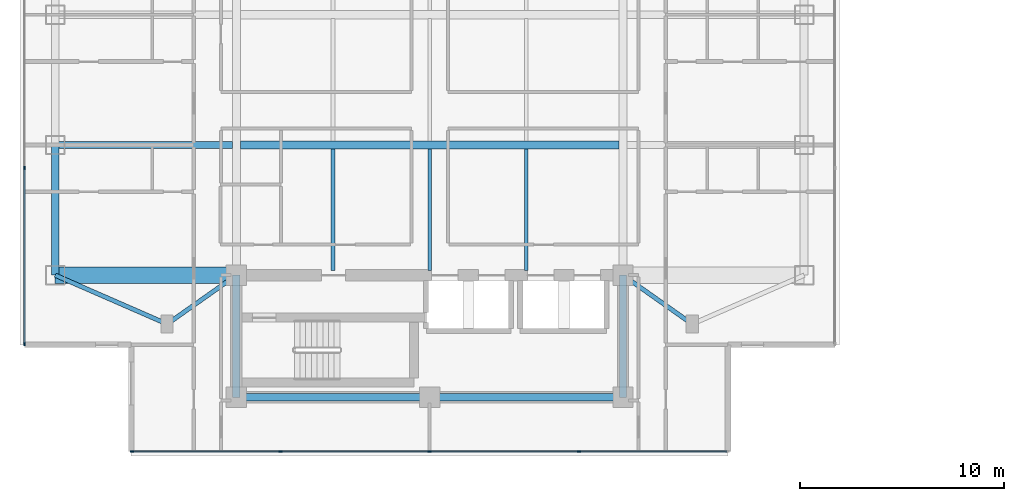
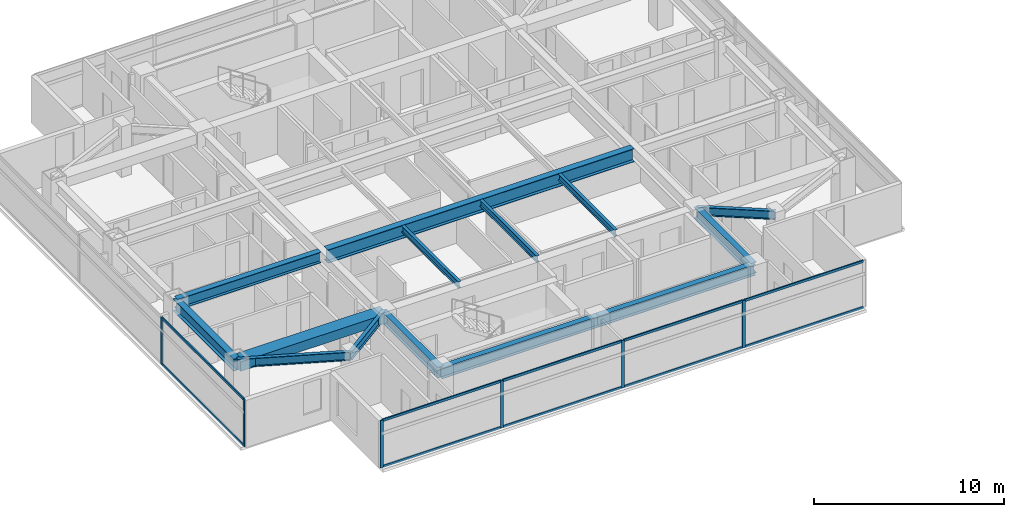
# One storey, part 2 of 24: 16 members, 14 beams, 2 elements without a shape of their own.
"""IFC4 building model written with IfcOpenShell, lengths in metres."""

from ifc_helpers import new_model, si_unit, direction, frame, origin, origin_2d, place, context, subcontext, project, spatial, rectangle, i_section, extrude, material, material_profile, profile_set, type_object, element, aggregate, save


model = new_model("IFC4")

# Units and contexts
model_context = context("Model", 3, precision=1e-05, world=origin(), true_north=direction((0.0, 1.0)))
body_context = subcontext(model_context, "Body", "Model", "MODEL_VIEW")
ifc_project = project(units=[si_unit("LENGTHUNIT", "METRE"), si_unit("AREAUNIT", "SQUARE_METRE"), si_unit("VOLUMEUNIT", "CUBIC_METRE"), si_unit("PLANEANGLEUNIT", "RADIAN"), si_unit("MASSUNIT", "GRAM", prefix="KILO")], contexts=[model_context])

# Site, building, storey
site_placement = place(None, origin())
site = spatial("IfcSite", under=ifc_project, at=site_placement, CompositionType="ELEMENT")
building_placement = place(site_placement, origin())
building = spatial("IfcBuilding", under=site, at=building_placement, Name="Mirazonda Arch Towers", CompositionType="ELEMENT")
storey_placement = place(building_placement, frame((0.0, 0.0, 157.64990234375)))
storey = spatial("IfcBuildingStorey", under=building, at=storey_placement, Name="L44", CompositionType="ELEMENT", Elevation=157.64990234375)

# Beams
ifc_material_1 = material(Name="Steel ASTM A992 Grade 50", Category="steel")
ifc_material_profile_1 = material_profile(ifc_material_1, i_section(OverallWidth=0.381103515625, OverallDepth=0.77294921875, WebThickness=0.0166015625, FlangeThickness=0.027099609375, at=origin_2d()), Name="W30X173")
ifc_profile_set_1 = profile_set([ifc_material_profile_1], Name="Steel ASTM A992 Grade 50")
beam_type_1 = type_object("IfcBeamType", Name="BM-EXT-W30X173", PredefinedType="USERDEFINED", material=ifc_profile_set_1)
beam_1_placement = place(storey_placement, frame((2.10009765625, 18.39990234375, 2.66357421875), z_axis=(0.0, 1.0, 0.0), x_axis=(-1.0, 0.0, 0.0)))
element("IfcBeam", 1, at=beam_1_placement, inside=storey, type_object=beam_type_1, Name="L44 Floor Beam BM-T1-L44-NS-W-18", ObjectType="GIRDER", PredefinedType="USERDEFINED", context=body_context, shape_type="SweptSolid", body=[
    extrude(i_section(OverallWidth=0.381103515625, OverallDepth=0.77294921875, WebThickness=0.0166015625, FlangeThickness=0.027099609375, at=origin_2d()), origin(), (0.0, 0.0, 1.0), 6.400146484375),
])
ifc_material_profile_2 = material_profile(ifc_material_1, i_section(OverallWidth=0.180908203125, OverallDepth=0.4169921875, WebThickness=0.010986328125, FlangeThickness=0.018310546875, at=origin_2d()), Name="W16X57")
ifc_profile_set_2 = profile_set([ifc_material_profile_2], Name="Steel ASTM A992 Grade 50")
beam_type_2 = type_object("IfcBeamType", Name="BM-INT-W16X57", PredefinedType="JOIST", material=ifc_profile_set_2)
for number, where, z_axis, x_axis, name in (
    (2, (15.75, 18.639892578125, 2.841552734375), (0.0, 1.0, 0.0), (-1.0, 0.0, 0.0), "L44 Floor Beam BM-T1-L44-J-157-18"),
    (3, (20.5, 18.639892578125, 2.841552734375), (0.0, 1.0, 0.0), (-1.0, 0.0, 0.0), "L44 Floor Beam BM-T1-L44-J-205-18"),
    (4, (25.25, 18.639892578125, 2.841552734375), (0.0, 1.0, 0.0), (-1.0, 0.0, 0.0), "L44 Floor Beam BM-T1-L44-J-252-18"),
):
    element("IfcBeam", number, at=place(storey_placement, frame(where, z_axis=z_axis, x_axis=x_axis)), inside=storey, type_object=beam_type_2, Name=name, PredefinedType="JOIST", context=body_context, shape_type="SweptSolid", body=[
        extrude(i_section(OverallWidth=0.180908203125, OverallDepth=0.4169921875, WebThickness=0.010986328125, FlangeThickness=0.018310546875, at=origin_2d()), origin(), (0.0, 0.0, 1.0), 5.964111328125),
    ])
ifc_material_profile_3 = material_profile(ifc_material_1, i_section(OverallWidth=0.214111328125, OverallDepth=0.549072265625, WebThickness=0.0146484375, FlangeThickness=0.023681640625, at=origin_2d()), Name="W21X93")
ifc_profile_set_3 = profile_set([ifc_material_profile_3], Name="Steel ASTM A992 Grade 50")
beam_type_3 = type_object("IfcBeamType", Name="BM-INT-W21X93", PredefinedType="BEAM", material=ifc_profile_set_3)
beam_2_placement = place(storey_placement, frame((7.60009765625, 16.0, 2.775634765625), z_axis=(0.816971114901, 0.576678591087, 0.0), x_axis=(-0.576678591087, 0.816971114901, 0.0)))
element("IfcBeam", 5, at=beam_2_placement, inside=storey, type_object=beam_type_3, Name="L44 Floor Beam BM-T1-L44-PL-SW1", PredefinedType="BEAM", context=body_context, shape_type="SweptSolid", body=[
    extrude(i_section(OverallWidth=0.214111328125, OverallDepth=0.549072265625, WebThickness=0.0146484375, FlangeThickness=0.023681640625, at=origin_2d()), origin(), (0.0, 0.0, 1.0), 4.16162109375),
])
beam_3_placement = place(storey_placement, frame((7.60009765625, 16.0, 2.775634765625), z_axis=(-0.916545343703, 0.399930785183, 0.0), x_axis=(-0.399930785183, -0.916545343703, 0.0)))
element("IfcBeam", 6, at=beam_3_placement, inside=storey, type_object=beam_type_3, Name="L44 Floor Beam BM-T1-L44-PL-SW2", PredefinedType="BEAM", context=body_context, shape_type="SweptSolid", body=[
    extrude(i_section(OverallWidth=0.214111328125, OverallDepth=0.549072265625, WebThickness=0.0146484375, FlangeThickness=0.023681640625, at=origin_2d()), origin(), (0.0, 0.0, 1.0), 6.000732421875),
])
beam_4_placement = place(storey_placement, frame((33.39990234375, 16.0, 2.775634765625), z_axis=(-0.816971114901, 0.576678591087, 0.0), x_axis=(-0.576678591087, -0.816971114901, 0.0)))
element("IfcBeam", 7, at=beam_4_placement, inside=storey, type_object=beam_type_3, Name="L44 Floor Beam BM-T1-L44-PL-SE1", PredefinedType="BEAM", context=body_context, shape_type="SweptSolid", body=[
    extrude(i_section(OverallWidth=0.214111328125, OverallDepth=0.549072265625, WebThickness=0.0146484375, FlangeThickness=0.023681640625, at=origin_2d()), origin(), (0.0, 0.0, 1.0), 4.16162109375),
])
ifc_material_profile_4 = material_profile(ifc_material_1, i_section(OverallWidth=0.35498046875, OverallDepth=0.696044921875, WebThickness=0.015380859375, FlangeThickness=0.02490234375, at=origin_2d()), Name="W27X146")
ifc_profile_set_4 = profile_set([ifc_material_profile_4], Name="Steel ASTM A992 Grade 50")
beam_type_4 = type_object("IfcBeamType", Name="BM-INT-W27X146", PredefinedType="BEAM", material=ifc_profile_set_4)
beam_5_placement = place(storey_placement, frame((2.10009765625, 24.800048828125, 2.7021484375), z_axis=(1.0, 0.0, 0.0), x_axis=(0.0, 1.0, 0.0)))
element("IfcBeam", 8, at=beam_5_placement, inside=storey, type_object=beam_type_4, Name="L44 Floor Beam BM-T1-L44-GW2", PredefinedType="BEAM", context=body_context, shape_type="SweptSolid", body=[
    extrude(i_section(OverallWidth=0.35498046875, OverallDepth=0.696044921875, WebThickness=0.015380859375, FlangeThickness=0.02490234375, at=origin_2d()), origin(), (0.0, 0.0, 1.0), 8.699951171875),
])
for number, where, z_axis, x_axis, name in (
    (9, (11.0, 12.39990234375, 2.7021484375), (1.0, 0.0, 0.0), (0.0, 1.0, 0.0), "L44 Floor Beam BM-T1-L44-CS1"),
    (10, (20.5, 12.39990234375, 2.7021484375), (1.0, 0.0, 0.0), (0.0, 1.0, 0.0), "L44 Floor Beam BM-T1-L44-CS2"),
):
    element("IfcBeam", number, at=place(storey_placement, frame(where, z_axis=z_axis, x_axis=x_axis)), inside=storey, type_object=beam_type_4, Name=name, PredefinedType="BEAM", context=body_context, shape_type="SweptSolid", body=[
        extrude(i_section(OverallWidth=0.35498046875, OverallDepth=0.696044921875, WebThickness=0.015380859375, FlangeThickness=0.02490234375, at=origin_2d()), origin(), (0.0, 0.0, 1.0), 9.5),
    ])
for number, where, z_axis, x_axis, name in (
    (11, (11.0, 12.39990234375, 2.7021484375), (0.0, 1.0, 0.0), (-1.0, 0.0, 0.0), "L44 Floor Beam BM-T1-L44-CSW"),
    (12, (30.0, 12.39990234375, 2.7021484375), (0.0, 1.0, 0.0), (-1.0, 0.0, 0.0), "L44 Floor Beam BM-T1-L44-CSE"),
):
    element("IfcBeam", number, at=place(storey_placement, frame(where, z_axis=z_axis, x_axis=x_axis)), inside=storey, type_object=beam_type_4, Name=name, PredefinedType="BEAM", context=body_context, shape_type="SweptSolid", body=[
        extrude(i_section(OverallWidth=0.35498046875, OverallDepth=0.696044921875, WebThickness=0.015380859375, FlangeThickness=0.02490234375, at=origin_2d()), origin(), (0.0, 0.0, 1.0), 6.0),
    ])
ifc_material_profile_5 = material_profile(ifc_material_1, i_section(OverallWidth=0.39990234375, OverallDepth=0.85595703125, WebThickness=0.018310546875, FlangeThickness=0.029296875, at=origin_2d()), Name="W33X201")
ifc_profile_set_5 = profile_set([ifc_material_profile_5], Name="Steel ASTM A992 Grade 50")
beam_type_5 = type_object("IfcBeamType", Name="BM-INT-W33X201", PredefinedType="USERDEFINED", material=ifc_profile_set_5)
beam_6_placement = place(storey_placement, frame((11.199951171875, 24.800048828125, 2.6220703125), z_axis=(1.0, 0.0, 0.0), x_axis=(0.0, 1.0, 0.0)))
element("IfcBeam", 13, at=beam_6_placement, inside=storey, type_object=beam_type_5, Name="L44 Floor Beam BM-T1-L44-GC2", ObjectType="GIRDER", PredefinedType="USERDEFINED", context=body_context, shape_type="SweptSolid", body=[
    extrude(i_section(OverallWidth=0.39990234375, OverallDepth=0.85595703125, WebThickness=0.018310546875, FlangeThickness=0.029296875, at=origin_2d()), origin(), (0.0, 0.0, 1.0), 18.60009765625),
])
ifc_material_2 = material(Name="Concrete C60/75", Category="concrete")
ifc_material_profile_6 = material_profile(ifc_material_2, rectangle(XDim=0.800048828125, YDim=0.60009765625, at=origin_2d()), Name="RCCB800x600")
ifc_profile_set_6 = profile_set([ifc_material_profile_6], Name="Concrete C60/75")
beam_type_6 = type_object("IfcBeamType", Name="CB-INT-RCCB800x600", PredefinedType="SPANDREL", material=ifc_profile_set_6)
beam_7_placement = place(storey_placement, frame((2.10009765625, 18.39990234375, 2.75), z_axis=(1.0, 0.0, 0.0), x_axis=(0.0, 1.0, 0.0)))
element("IfcBeam", 14, at=beam_7_placement, inside=storey, type_object=beam_type_6, Name="L44 Floor Beam CBC-T1-L44-SW", PredefinedType="SPANDREL", context=body_context, shape_type="SweptSolid", body=[
    extrude(rectangle(XDim=0.800048828125, YDim=0.60009765625, at=origin_2d()), origin(), (0.0, 0.0, 1.0), 8.89990234375),
])

# Curtain wall, members
ifc_material_3 = material(Name="Anodised Aluminium and Low-E Glass", Category="aluminium")
curtain_wall_type = type_object("IfcCurtainWallType", Name="CW-RES-UNIT", PredefinedType="NOTDEFINED", material=ifc_material_3)
curtain_wall_1_placement = place(storey_placement, origin())
curtain_wall_1 = element("IfcCurtainWall", 15, at=curtain_wall_1_placement, inside=storey, type_object=curtain_wall_type, Name="L44 T1 S Facade CW-L44-T1-S", PredefinedType="NOTDEFINED")
ifc_material_4 = material(Name="Anodised Aluminium Alloy", Category="aluminium")
ifc_material_profile_7 = material_profile(ifc_material_4, rectangle(XDim=0.074951171875, YDim=0.175048828125, at=origin_2d()), Name="ALU-MULL-75x175")
ifc_profile_set_7 = profile_set([ifc_material_profile_7], Name="Anodised Aluminium Alloy")
member_type_1 = type_object("IfcMemberType", Name="MULL-CW-RES-UNIT", PredefinedType="MULLION", material=ifc_profile_set_7)
member_1_placement = place(storey_placement, frame((27.83251953125, 9.73193359375, 0.0), z_axis=(0.0, 0.0, 1.0), x_axis=(0.0, -1.0, 0.0)))
member_1 = element("IfcMember", 16, at=member_1_placement, type_object=member_type_1, Name="CW-104 mullion 2", PredefinedType="MULLION", context=body_context, shape_type="SweptSolid", body=[
    extrude(rectangle(XDim=0.074951171875, YDim=0.175048828125, at=origin_2d()), origin(), (0.0, 0.0, 1.0), 3.030029296875),
])
member_2_placement = place(storey_placement, frame((20.5, 9.73193359375, 0.0), z_axis=(0.0, 0.0, 1.0), x_axis=(0.0, -1.0, 0.0)))
member_2 = element("IfcMember", 17, at=member_2_placement, type_object=member_type_1, Name="CW-104 mullion 3", PredefinedType="MULLION", context=body_context, shape_type="SweptSolid", body=[
    extrude(rectangle(XDim=0.074951171875, YDim=0.175048828125, at=origin_2d()), origin(), (0.0, 0.0, 1.0), 3.030029296875),
])
member_3_placement = place(storey_placement, frame((13.16748046875, 9.73193359375, 0.0), z_axis=(0.0, 0.0, 1.0), x_axis=(0.0, -1.0, 0.0)))
member_3 = element("IfcMember", 18, at=member_3_placement, type_object=member_type_1, Name="CW-104 mullion 4", PredefinedType="MULLION", context=body_context, shape_type="SweptSolid", body=[
    extrude(rectangle(XDim=0.074951171875, YDim=0.175048828125, at=origin_2d()), origin(), (0.0, 0.0, 1.0), 3.030029296875),
])
member_4_placement = place(storey_placement, frame((5.87255859375, 9.73193359375, 0.0), z_axis=(0.0, 0.0, 1.0), x_axis=(0.0, -1.0, 0.0)))
member_4 = element("IfcMember", 19, at=member_4_placement, type_object=member_type_1, Name="CW-104 mullion 5", PredefinedType="MULLION", context=body_context, shape_type="SweptSolid", body=[
    extrude(rectangle(XDim=0.074951171875, YDim=0.175048828125, at=origin_2d()), origin(), (0.0, 0.0, 1.0), 3.030029296875),
])

curtain_wall_2_placement = place(storey_placement, origin())
curtain_wall_2 = element("IfcCurtainWall", 20, at=curtain_wall_2_placement, inside=storey, type_object=curtain_wall_type, Name="L44 T1 W Facade CW-L44-T1-W", PredefinedType="NOTDEFINED")
member_5_placement = place(storey_placement, frame((0.590087890625, 23.658935546875, 0.0), z_axis=(0.0, 0.0, 1.0), x_axis=(1.0, 0.0, 0.0)))
member_5 = element("IfcMember", 21, at=member_5_placement, type_object=member_type_1, Name="CW-104 mullion 3", PredefinedType="MULLION", context=body_context, shape_type="SweptSolid", body=[
    extrude(rectangle(XDim=0.074951171875, YDim=0.175048828125, at=origin_2d()), origin(), (0.0, 0.0, 1.0), 3.030029296875),
])
member_6_placement = place(storey_placement, frame((0.590087890625, 15.014404296875, 0.0), z_axis=(0.0, 0.0, 1.0), x_axis=(1.0, 0.0, 0.0)))
member_6 = element("IfcMember", 22, at=member_6_placement, type_object=member_type_1, Name="CW-104 mullion 4", PredefinedType="MULLION", context=body_context, shape_type="SweptSolid", body=[
    extrude(rectangle(XDim=0.074951171875, YDim=0.175048828125, at=origin_2d()), origin(), (0.0, 0.0, 1.0), 3.030029296875),
])

# Member
ifc_material_profile_8 = material_profile(ifc_material_4, rectangle(XDim=0.074951171875, YDim=0.155029296875, at=origin_2d()), Name="ALU-TRAN-75x155")
ifc_profile_set_8 = profile_set([ifc_material_profile_8], Name="Anodised Aluminium Alloy")
member_type_2 = type_object("IfcMemberType", Name="TRAN-CW-RES-UNIT", PredefinedType="USERDEFINED", material=ifc_profile_set_8)
member_7_placement = place(storey_placement, frame((35.090087890625, 9.73193359375, 0.03759765625), z_axis=(-1.0, 0.0, 0.0), x_axis=(0.0, -1.0, 0.0)))
member_7 = element("IfcMember", 23, at=member_7_placement, type_object=member_type_2, Name="CW-104 transom 1.1", ObjectType="TRANSOM", PredefinedType="USERDEFINED", context=body_context, shape_type="SweptSolid", body=[
    extrude(rectangle(XDim=0.074951171875, YDim=0.155029296875, at=origin_2d()), origin(), (0.0, 0.0, 1.0), 7.219970703125),
])

member_8_placement = place(storey_placement, frame((35.090087890625, 9.73193359375, 2.99267578125), z_axis=(-1.0, 0.0, 0.0), x_axis=(0.0, -1.0, 0.0)))
member_8 = element("IfcMember", 24, at=member_8_placement, type_object=member_type_2, Name="CW-104 transom 1.2", ObjectType="TRANSOM", PredefinedType="USERDEFINED", context=body_context, shape_type="SweptSolid", body=[
    extrude(rectangle(XDim=0.074951171875, YDim=0.155029296875, at=origin_2d()), origin(), (0.0, 0.0, 1.0), 7.219970703125),
])

member_9_placement = place(storey_placement, frame((27.794921875, 9.73193359375, 0.03759765625), z_axis=(-1.0, 0.0, 0.0), x_axis=(0.0, -1.0, 0.0)))
member_9 = element("IfcMember", 25, at=member_9_placement, type_object=member_type_2, Name="CW-104 transom 2.1", ObjectType="TRANSOM", PredefinedType="USERDEFINED", context=body_context, shape_type="SweptSolid", body=[
    extrude(rectangle(XDim=0.074951171875, YDim=0.155029296875, at=origin_2d()), origin(), (0.0, 0.0, 1.0), 7.25732421875),
])

member_10_placement = place(storey_placement, frame((27.794921875, 9.73193359375, 2.99267578125), z_axis=(-1.0, 0.0, 0.0), x_axis=(0.0, -1.0, 0.0)))
member_10 = element("IfcMember", 26, at=member_10_placement, type_object=member_type_2, Name="CW-104 transom 2.2", ObjectType="TRANSOM", PredefinedType="USERDEFINED", context=body_context, shape_type="SweptSolid", body=[
    extrude(rectangle(XDim=0.074951171875, YDim=0.155029296875, at=origin_2d()), origin(), (0.0, 0.0, 1.0), 7.25732421875),
])

member_11_placement = place(storey_placement, frame((20.46240234375, 9.73193359375, 0.03759765625), z_axis=(-1.0, 0.0, 0.0), x_axis=(0.0, -1.0, 0.0)))
member_11 = element("IfcMember", 27, at=member_11_placement, type_object=member_type_2, Name="CW-104 transom 3.1", ObjectType="TRANSOM", PredefinedType="USERDEFINED", context=body_context, shape_type="SweptSolid", body=[
    extrude(rectangle(XDim=0.074951171875, YDim=0.155029296875, at=origin_2d()), origin(), (0.0, 0.0, 1.0), 7.25732421875),
])

member_12_placement = place(storey_placement, frame((20.46240234375, 9.73193359375, 2.99267578125), z_axis=(-1.0, 0.0, 0.0), x_axis=(0.0, -1.0, 0.0)))
member_12 = element("IfcMember", 28, at=member_12_placement, type_object=member_type_2, Name="CW-104 transom 3.2", ObjectType="TRANSOM", PredefinedType="USERDEFINED", context=body_context, shape_type="SweptSolid", body=[
    extrude(rectangle(XDim=0.074951171875, YDim=0.155029296875, at=origin_2d()), origin(), (0.0, 0.0, 1.0), 7.25732421875),
])

member_13_placement = place(storey_placement, frame((13.1298828125, 9.73193359375, 0.03759765625), z_axis=(-1.0, 0.0, 0.0), x_axis=(0.0, -1.0, 0.0)))
member_13 = element("IfcMember", 29, at=member_13_placement, type_object=member_type_2, Name="CW-104 transom 4.1", ObjectType="TRANSOM", PredefinedType="USERDEFINED", context=body_context, shape_type="SweptSolid", body=[
    extrude(rectangle(XDim=0.074951171875, YDim=0.155029296875, at=origin_2d()), origin(), (0.0, 0.0, 1.0), 7.219970703125),
])

member_14_placement = place(storey_placement, frame((13.1298828125, 9.73193359375, 2.99267578125), z_axis=(-1.0, 0.0, 0.0), x_axis=(0.0, -1.0, 0.0)))
member_14 = element("IfcMember", 30, at=member_14_placement, type_object=member_type_2, Name="CW-104 transom 4.2", ObjectType="TRANSOM", PredefinedType="USERDEFINED", context=body_context, shape_type="SweptSolid", body=[
    extrude(rectangle(XDim=0.074951171875, YDim=0.155029296875, at=origin_2d()), origin(), (0.0, 0.0, 1.0), 7.219970703125),
])

aggregate(curtain_wall_1, [member_1, member_2, member_3, member_4, member_7, member_8, member_9, member_10, member_11, member_12, member_13, member_14])

member_15_placement = place(storey_placement, frame((0.590087890625, 23.62158203125, 0.03759765625), z_axis=(0.0, -1.0, 0.0), x_axis=(1.0, 0.0, 0.0)))
member_15 = element("IfcMember", 31, at=member_15_placement, type_object=member_type_2, Name="CW-104 transom 3.1", ObjectType="TRANSOM", PredefinedType="USERDEFINED", context=body_context, shape_type="SweptSolid", body=[
    extrude(rectangle(XDim=0.074951171875, YDim=0.155029296875, at=origin_2d()), origin(), (0.0, 0.0, 1.0), 8.569580078125),
])

member_16_placement = place(storey_placement, frame((0.590087890625, 23.62158203125, 2.99267578125), z_axis=(0.0, -1.0, 0.0), x_axis=(1.0, 0.0, 0.0)))
member_16 = element("IfcMember", 32, at=member_16_placement, type_object=member_type_2, Name="CW-104 transom 3.2", ObjectType="TRANSOM", PredefinedType="USERDEFINED", context=body_context, shape_type="SweptSolid", body=[
    extrude(rectangle(XDim=0.074951171875, YDim=0.155029296875, at=origin_2d()), origin(), (0.0, 0.0, 1.0), 8.569580078125),
])

aggregate(curtain_wall_2, [member_5, member_6, member_15, member_16])

save(model, "model.ifc")
